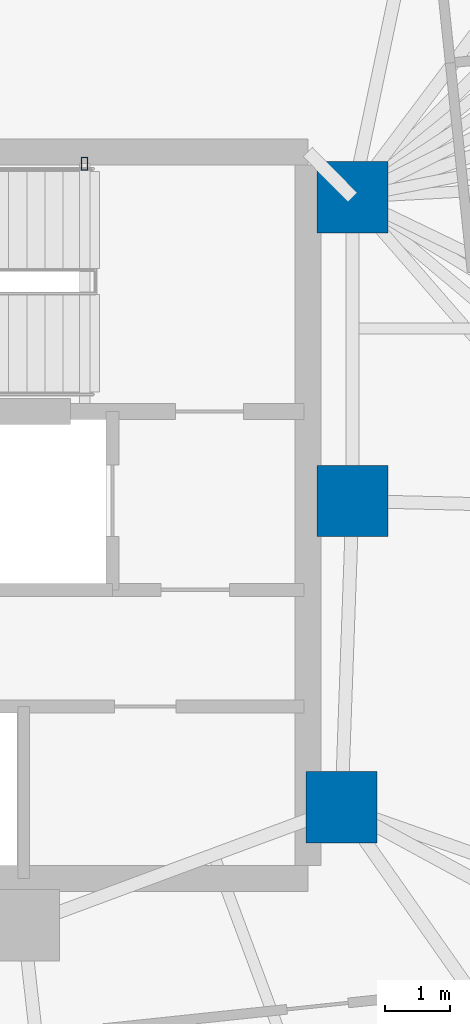
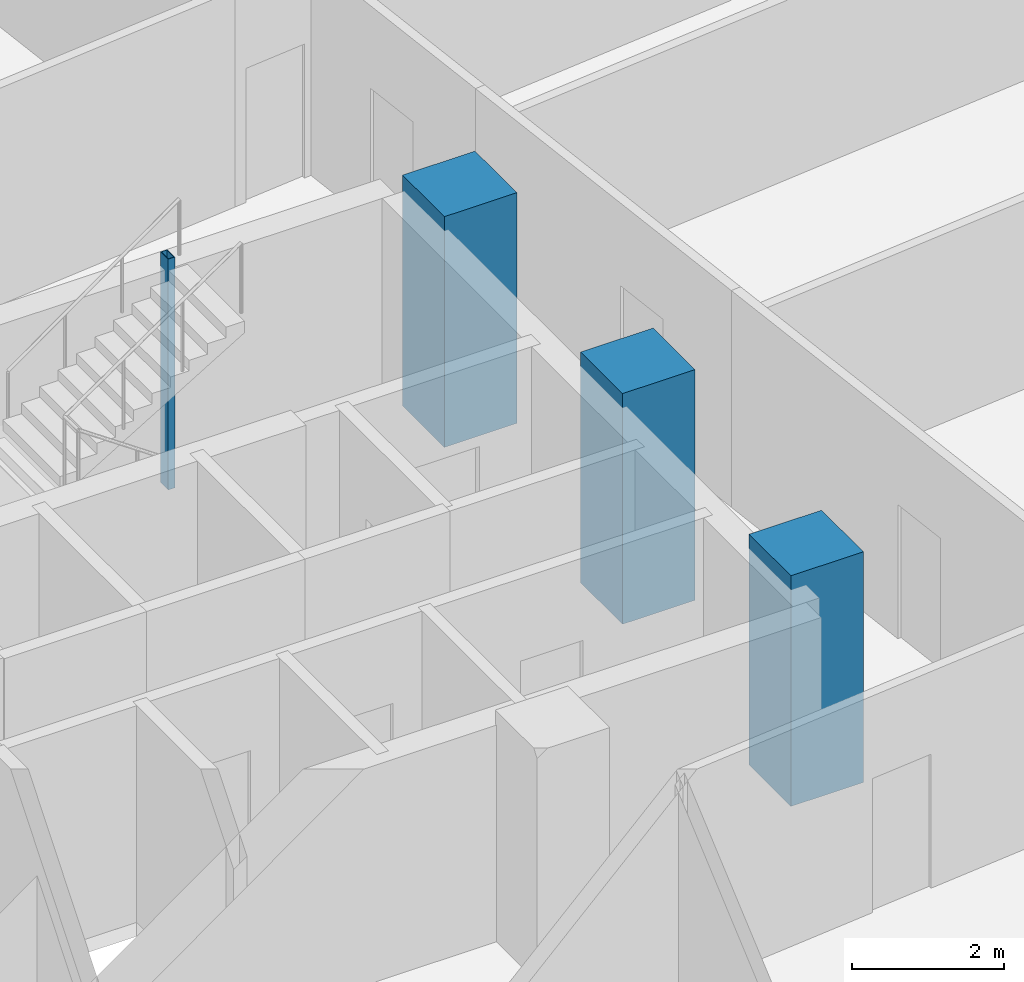
# One storey, part 4 of 18: 4 columns.
"""IFC4 building model written with IfcOpenShell, lengths in metres."""

from ifc_helpers import new_model, si_unit, direction, frame, origin, origin_2d, place, context, subcontext, project, spatial, rectangle, hollow_rectangle, extrude, material, material_profile, profile_set, type_object, element, save


model = new_model("IFC4")

# Units and contexts
model_context = context("Model", 3, precision=1e-05, world=origin(), true_north=direction((0.0, 1.0)))
body_context = subcontext(model_context, "Body", "Model", "MODEL_VIEW")
ifc_project = project(units=[si_unit("LENGTHUNIT", "METRE"), si_unit("AREAUNIT", "SQUARE_METRE"), si_unit("VOLUMEUNIT", "CUBIC_METRE"), si_unit("PLANEANGLEUNIT", "RADIAN"), si_unit("MASSUNIT", "GRAM", prefix="KILO")], contexts=[model_context])

# Site, building, storey
site_placement = place(None, origin())
site = spatial("IfcSite", under=ifc_project, at=site_placement, CompositionType="ELEMENT")
building_placement = place(site_placement, origin())
building = spatial("IfcBuilding", under=site, at=building_placement, Name="Menara Jurai Vektor", CompositionType="ELEMENT")
storey_placement = place(building_placement, frame((0.0, 0.0, 120.699951171875)))
storey = spatial("IfcBuildingStorey", under=building, at=storey_placement, Name="L30", CompositionType="ELEMENT", Elevation=120.699951171875)

# Columns
ifc_material_1 = material(Name="Concrete C50/60", Category="concrete")
ifc_material_profile_1 = material_profile(ifc_material_1, rectangle(XDim=1.10009765625, YDim=1.10009765625, at=origin_2d()), Name="RC 1100x1100")
ifc_profile_set_1 = profile_set([ifc_material_profile_1], Name="Concrete C50/60")
column_type_1 = type_object("IfcColumnType", Name="STR-COL-RC1100", PredefinedType="COLUMN", material=ifc_profile_set_1)
for number, where, z_axis, x_axis, name in (
    (1, (15.25, 4.89990234375, 0.0), (0.0, 0.0, 1.0), (1.0, 0.0, 0.0), "Core Spine Column CE-NE L30"),
    (2, (15.25, 0.219970703125, 0.0), (0.0, 0.0, 1.0), (1.0, 0.0, 0.0), "Core Spine Column CE-EM L30"),
    (3, (15.080078125, -4.5, 0.0), (0.0, 0.0, 1.0), (1.0, 0.0, 0.0), "Core Spine Column CE-SE L30"),
):
    element("IfcColumn", number, at=place(storey_placement, frame(where, z_axis=z_axis, x_axis=x_axis)), inside=storey, type_object=column_type_1, Name=name, PredefinedType="COLUMN", context=body_context, shape_type="SweptSolid", body=[
        extrude(rectangle(XDim=1.10009765625, YDim=1.10009765625, at=origin_2d()), origin(), (0.0, 0.0, 1.0), 3.699951171875),
    ])
ifc_material_2 = material(Name="Steel S355", Category="steel")
ifc_material_profile_2 = material_profile(ifc_material_2, hollow_rectangle(XDim=0.10009765625, YDim=0.199951171875, WallThickness=0.008056640625, at=origin_2d()), Name="RHS 200x100x8")
ifc_profile_set_2 = profile_set([ifc_material_profile_2], Name="Steel S355")
column_type_2 = type_object("IfcColumnType", Name="STR-COL-STAIR", PredefinedType="COLUMN", material=ifc_profile_set_2)
column_placement = place(storey_placement, frame((11.1201171875, 5.419921875, 0.0), z_axis=(0.0, 0.0, 1.0), x_axis=(1.0, 0.0, 0.0)))
element("IfcColumn", 4, at=column_placement, inside=storey, type_object=column_type_2, Name="Stair Well Header Column ST2-P2 L30", PredefinedType="COLUMN", context=body_context, shape_type="SweptSolid", body=[
    extrude(hollow_rectangle(XDim=0.10009765625, YDim=0.199951171875, WallThickness=0.008056640625, at=origin_2d()), origin(), (0.0, 0.0, 1.0), 3.699951171875),
])

save(model, "model.ifc")
